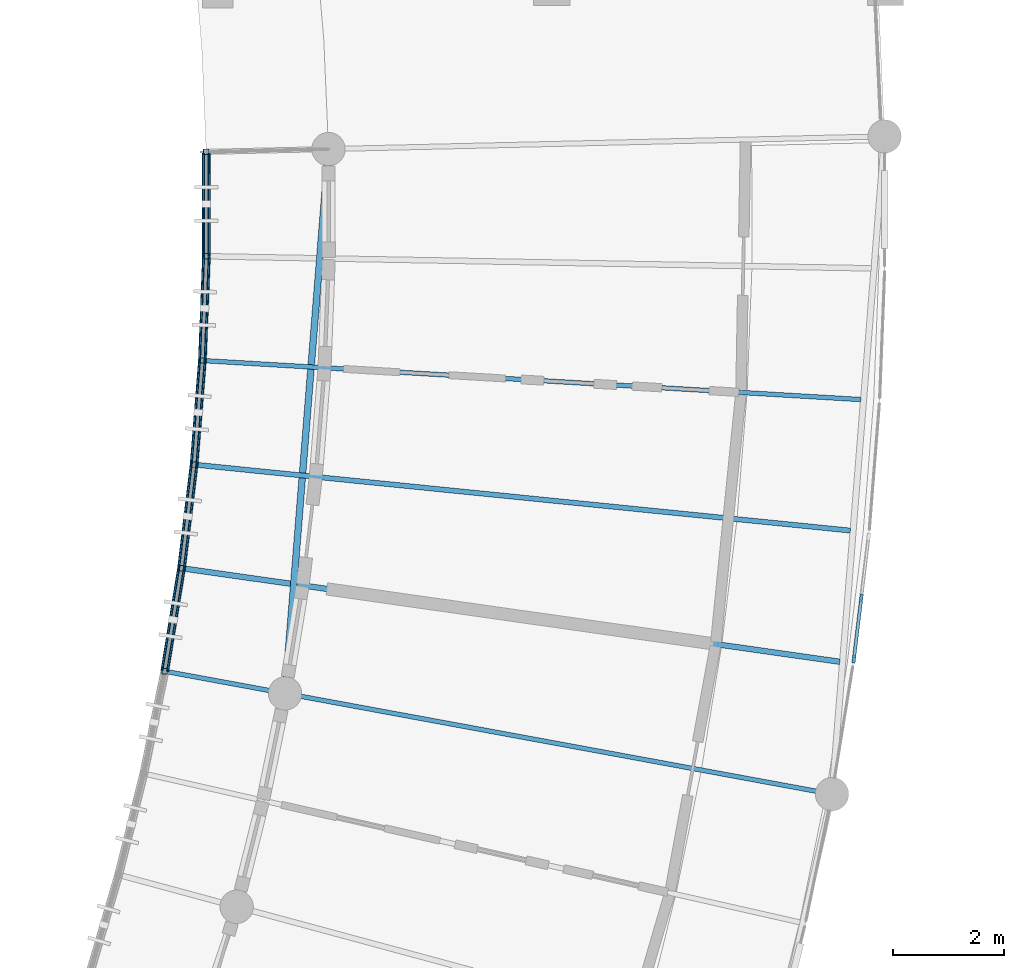
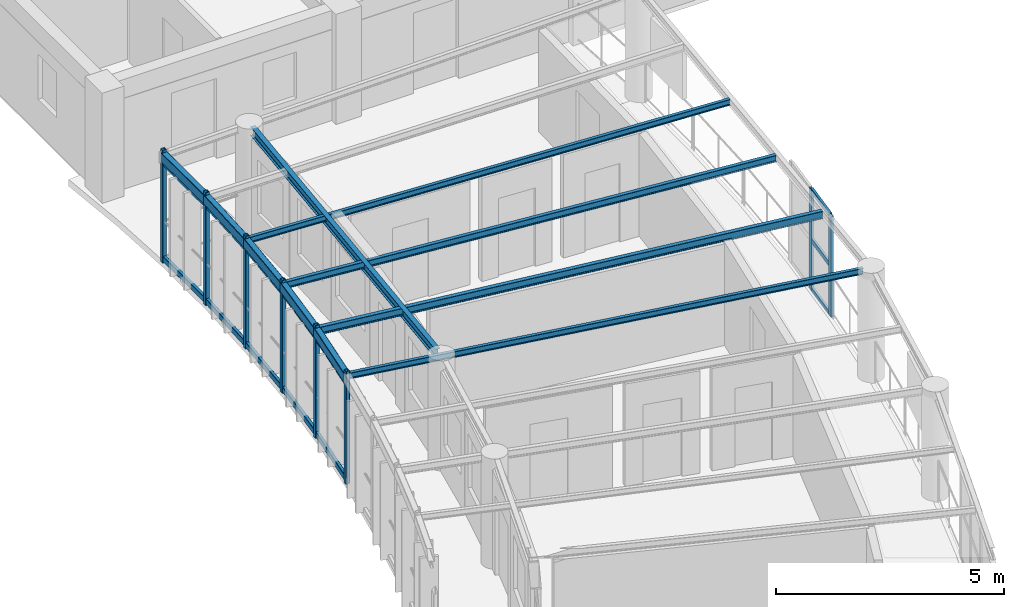
# One storey, part 23 of 100: 21 members, 10 beams, 1 element without a shape of its own.
"""IFC4 building model written with IfcOpenShell, lengths in metres."""

from ifc_helpers import new_model, si_unit, direction, frame, origin, origin_2d, place, context, subcontext, project, spatial, rectangle, hollow_rectangle, i_section, extrude, material, layer, layer_set, material_profile, profile_set, type_object, element, aggregate, save


model = new_model("IFC4")

# Units and contexts
model_context = context("Model", 3, precision=1e-05, world=origin(), true_north=direction((0.0, 1.0)))
body_context = subcontext(model_context, "Body", "Model", "MODEL_VIEW")
ifc_project = project(units=[si_unit("LENGTHUNIT", "METRE"), si_unit("AREAUNIT", "SQUARE_METRE"), si_unit("VOLUMEUNIT", "CUBIC_METRE"), si_unit("PLANEANGLEUNIT", "RADIAN"), si_unit("MASSUNIT", "GRAM", prefix="KILO"), si_unit("POWERUNIT", "WATT"), si_unit("THERMODYNAMICTEMPERATUREUNIT", "KELVIN")], contexts=[model_context])

# Site, building, storey
site_placement = place(None, origin())
site = spatial("IfcSite", under=ifc_project, at=site_placement, CompositionType="ELEMENT")
building_placement = place(site_placement, origin())
building = spatial("IfcBuilding", under=site, at=building_placement, Name="Ruvembo Vaulted Housing Court", CompositionType="ELEMENT")
storey_placement = place(building_placement, frame((0.0, 0.0, 14.10009765625)))
storey = spatial("IfcBuildingStorey", under=building, at=storey_placement, Name="L04", CompositionType="ELEMENT", Elevation=14.10009765625)

# Beams
ifc_material_1 = material(Name="Steel S355J2", Category="steel")
ifc_material_profile_1 = material_profile(ifc_material_1, i_section(OverallWidth=0.08203125, OverallDepth=0.159912109375, WebThickness=0.0048828125, FlangeThickness=0.00732421875, FilletRadius=0.009033203125, at=origin_2d()), Name="IPE 160")
ifc_profile_set_1 = profile_set([ifc_material_profile_1], Name="Steel S355J2")
beam_type_1 = type_object("IfcBeamType", Name="BM-ST-IPE160", PredefinedType="JOIST", material=ifc_profile_set_1)
beam_1_placement = place(storey_placement, frame((58.85400390625, 63.52978515625, 2.85986328125), z_axis=(-0.983463161272, 0.18110828369, 0.0), x_axis=(-0.18110828369, -0.983463161272, 0.0)))
element("IfcBeam", 1, at=beam_1_placement, inside=storey, type_object=beam_type_1, Name="Scoop SC1 L04 Radial Steel Joist 14", PredefinedType="JOIST", context=body_context, shape_type="SweptSolid", body=[
    extrude(i_section(OverallWidth=0.08203125, OverallDepth=0.159912109375, WebThickness=0.0048828125, FlangeThickness=0.00732421875, FilletRadius=0.009033203125, at=origin_2d()), origin(), (0.0, 0.0, 1.0), 12.050048828125),
])
beam_2_placement = place(storey_placement, frame((59.55712890625, 70.589111328125, 2.85986328125), z_axis=(-0.99824745237, 0.059177899908, 0.0), x_axis=(-0.059177899908, -0.99824745237, 0.0)))
element("IfcBeam", 2, at=beam_2_placement, inside=storey, type_object=beam_type_1, Name="Scoop SC1 L04 Radial Steel Joist 17", PredefinedType="JOIST", context=body_context, shape_type="SweptSolid", body=[
    extrude(i_section(OverallWidth=0.08203125, OverallDepth=0.159912109375, WebThickness=0.0048828125, FlangeThickness=0.00732421875, FilletRadius=0.009033203125, at=origin_2d()), origin(), (0.0, 0.0, 1.0), 11.89794921875),
])
ifc_material_profile_2 = material_profile(ifc_material_1, i_section(OverallWidth=0.091064453125, OverallDepth=0.179931640625, WebThickness=0.00537109375, FlangeThickness=0.008056640625, FilletRadius=0.009033203125, at=origin_2d()), Name="IPE 180")
ifc_profile_set_2 = profile_set([ifc_material_profile_2], Name="Steel S355J2")
beam_type_2 = type_object("IfcBeamType", Name="BM-ST-IPE180", PredefinedType="JOIST", material=ifc_profile_set_2)
beam_3_placement = place(storey_placement, frame((59.368896484375, 68.234130859375, 2.849853515625), z_axis=(-0.994986269959, 0.100011612287, 0.0), x_axis=(-0.100011612287, -0.994986269959, 0.0)))
element("IfcBeam", 3, at=beam_3_placement, inside=storey, type_object=beam_type_2, Name="Scoop SC1 L04 Radial Steel Joist 16", PredefinedType="JOIST", context=body_context, shape_type="SweptSolid", body=[
    extrude(i_section(OverallWidth=0.091064453125, OverallDepth=0.179931640625, WebThickness=0.00537109375, FlangeThickness=0.008056640625, FilletRadius=0.009033203125, at=origin_2d()), origin(), (0.0, 0.0, 1.0), 11.89794921875),
])
ifc_material_profile_3 = material_profile(ifc_material_1, i_section(OverallWidth=0.10009765625, OverallDepth=0.199951171875, WebThickness=0.005615234375, FlangeThickness=0.008544921875, FilletRadius=0.011962890625, at=origin_2d()), Name="IPE 200")
ifc_profile_set_3 = profile_set([ifc_material_profile_3], Name="Steel S355J2")
beam_type_3 = type_object("IfcBeamType", Name="BM-ST-IPE200", PredefinedType="BEAM", material=ifc_profile_set_3)
beam_4_placement = place(storey_placement, frame((59.180908203125, 65.875244140625, 2.83984375), z_axis=(-0.990057887054, 0.140660514296, 0.0), x_axis=(-0.140660514296, -0.990057887054, 0.0)))
element("IfcBeam", 4, at=beam_4_placement, inside=storey, type_object=beam_type_3, Name="Scoop SC1 L04 Radial Steel Joist 15", PredefinedType="BEAM", context=body_context, shape_type="SweptSolid", body=[
    extrude(i_section(OverallWidth=0.10009765625, OverallDepth=0.199951171875, WebThickness=0.005615234375, FlangeThickness=0.008544921875, FilletRadius=0.011962890625, at=origin_2d()), origin(), (0.0, 0.0, 1.0), 11.9951171875),
])
ifc_material_profile_4 = material_profile(ifc_material_1, i_section(OverallWidth=0.1201171875, OverallDepth=0.239990234375, WebThickness=0.006103515625, FlangeThickness=0.009765625, FilletRadius=0.014892578125, at=origin_2d()), Name="IPE 240")
ifc_profile_set_4 = profile_set([ifc_material_profile_4], Name="Steel S355J2")
beam_type_4 = type_object("IfcBeamType", Name="BM-ST-IPE240", PredefinedType="BEAM", material=ifc_profile_set_4)
beam_5_placement = place(storey_placement, frame((49.22119140625, 65.495849609375, 2.822021484375), z_axis=(0.079600245682, 0.996826866054, 0.0), x_axis=(-0.996826866054, 0.079600245682, 0.0)))
element("IfcBeam", 5, at=beam_5_placement, inside=storey, type_object=beam_type_4, Name="Scoop SC1 L04 Chord Girder F14", PredefinedType="BEAM", context=body_context, shape_type="SweptSolid", body=[
    extrude(i_section(OverallWidth=0.1201171875, OverallDepth=0.239990234375, WebThickness=0.006103515625, FlangeThickness=0.009765625, FilletRadius=0.014892578125, at=origin_2d()), origin(), (0.0, 0.0, 1.0), 9.4375),
])
ifc_material_profile_5 = material_profile(ifc_material_1, hollow_rectangle(XDim=0.14990234375, YDim=0.25, WallThickness=0.010009765625, InnerFilletRadius=0.010009765625, OuterFilletRadius=0.02001953125, at=origin_2d()), Name="RHS 250x150x10")
ifc_profile_set_5 = profile_set([ifc_material_profile_5], Name="Steel S355J2")
beam_type_5 = type_object("IfcBeamType", Name="BM-ST-RHS250", PredefinedType="SPANDREL", material=ifc_profile_set_5)
beam_6_placement = place(storey_placement, frame((47.04248046875, 65.704833984375, 2.81494140625), z_axis=(0.16093792822, 0.98696452989, 0.0), x_axis=(-0.98696452989, 0.16093792822, 0.0)))
element("IfcBeam", 6, at=beam_6_placement, inside=storey, type_object=beam_type_5, Name="Scoop SC1 L04 Balcony Edge Spandrel 14", PredefinedType="SPANDREL", context=body_context, shape_type="SweptSolid", body=[
    extrude(hollow_rectangle(XDim=0.14990234375, YDim=0.25, WallThickness=0.010009765625, InnerFilletRadius=0.010009765625, OuterFilletRadius=0.02001953125, at=origin_2d()), origin(), (0.0, 0.0, 1.0), 1.87646484375),
])
for number, where, z_axis, x_axis, name in (
    (7, (47.344482421875, 67.556884765625, 2.81494140625), (0.120335252624, 0.992733311104, 0.0), (-0.992733311104, 0.120335252624, 0.0), "Scoop SC1 L04 Balcony Edge Spandrel 15"),
    (8, (47.5703125, 69.419921875, 2.81494140625), (0.079610795565, 0.996826023552, 0.0), (-0.996826023552, 0.079610795565, 0.0), "Scoop SC1 L04 Balcony Edge Spandrel 16"),
    (9, (47.7197265625, 71.290771484375, 2.81494140625), (0.038767865725, 0.999248243725, 0.0), (-0.999248243725, 0.038767865725, 0.0), "Scoop SC1 L04 Balcony Edge Spandrel 17"),
):
    element("IfcBeam", number, at=place(storey_placement, frame(where, z_axis=z_axis, x_axis=x_axis)), inside=storey, type_object=beam_type_5, Name=name, PredefinedType="SPANDREL", context=body_context, shape_type="SweptSolid", body=[
        extrude(hollow_rectangle(XDim=0.14990234375, YDim=0.25, WallThickness=0.010009765625, InnerFilletRadius=0.010009765625, OuterFilletRadius=0.02001953125, at=origin_2d()), origin(), (0.0, 0.0, 1.0), 1.876708984375),
    ])
beam_7_placement = place(storey_placement, frame((47.79248046875, 73.166015625, 2.81494140625), z_axis=(-0.002341913952, 0.999997257716, 0.0), x_axis=(-0.999997257716, -0.002341913952, 0.0)))
element("IfcBeam", 10, at=beam_7_placement, inside=storey, type_object=beam_type_5, Name="Scoop SC1 L04 Balcony Edge Spandrel 18", PredefinedType="SPANDREL", context=body_context, shape_type="SweptSolid", body=[
    extrude(hollow_rectangle(XDim=0.14990234375, YDim=0.25, WallThickness=0.010009765625, InnerFilletRadius=0.010009765625, OuterFilletRadius=0.02001953125, at=origin_2d()), origin(), (0.0, 0.0, 1.0), 1.87646484375),
])

# Curtain wall, members
ifc_material_2 = material(Name="Anodised Aluminium and Solar-Control Glass", Category="aluminium")
ifc_layer = layer(ifc_material_2, 0.1201171875, Name="Anodised Aluminium and Solar-Control Glass")
ifc_layer_set = layer_set([ifc_layer], Name="Anodised Aluminium and Solar-Control Glass")
curtain_wall_type = type_object("IfcCurtainWallType", Name="CW-SCOOP-GAL", PredefinedType="NOTDEFINED", material=ifc_layer_set)
curtain_wall_placement = place(storey_placement, origin())
curtain_wall = element("IfcCurtainWall", 11, at=curtain_wall_placement, inside=storey, type_object=curtain_wall_type, Name="L04 Curtain Wall CW-L04-0024", PredefinedType="NOTDEFINED")
ifc_material_3 = material(Name="Anodised Aluminium 6063-T6", Category="aluminium")
ifc_material_profile_6 = material_profile(ifc_material_3, rectangle(XDim=0.06005859375, YDim=0.139892578125, at=origin_2d()), Name="ALU 60x140")
ifc_profile_set_6 = profile_set([ifc_material_profile_6], Name="Anodised Aluminium 6063-T6")
member_type_1 = type_object("IfcMemberType", Name="CW-MUL-60x140", PredefinedType="MULLION", material=ifc_profile_set_6)
member_1_placement = place(storey_placement, frame((59.432861328125, 65.920166015625, 0.0), z_axis=(0.0, 0.0, 1.0), x_axis=(-0.992725352187, 0.12040089337, 0.0)))
member_1 = element("IfcMember", 12, at=member_1_placement, type_object=member_type_1, Name="CW6 mullion 1", PredefinedType="MULLION", context=body_context, shape_type="SweptSolid", body=[
    extrude(rectangle(XDim=0.06005859375, YDim=0.139892578125, at=origin_2d()), origin(), (0.0, 0.0, 1.0), 2.697998046875),
])
member_2_placement = place(storey_placement, frame((59.566162109375, 67.0205078125, 0.0), z_axis=(0.0, 0.0, 1.0), x_axis=(-0.992725352187, 0.12040089337, 0.0)))
member_2 = element("IfcMember", 13, at=member_2_placement, type_object=member_type_1, Name="CW6 mullion 2", PredefinedType="MULLION", context=body_context, shape_type="SweptSolid", body=[
    extrude(rectangle(XDim=0.06005859375, YDim=0.139892578125, at=origin_2d()), origin(), (0.0, 0.0, 1.0), 2.697998046875),
])
ifc_material_profile_7 = material_profile(ifc_material_3, rectangle(XDim=0.06005859375, YDim=0.1201171875, at=origin_2d()), Name="ALU 60x120")
ifc_profile_set_7 = profile_set([ifc_material_profile_7], Name="Anodised Aluminium 6063-T6")
member_type_2 = type_object("IfcMemberType", Name="CW-TRANSOM-65x120", PredefinedType="USERDEFINED", material=ifc_profile_set_7)
member_3_placement = place(storey_placement, frame((59.4365234375, 65.949951171875, 0.02978515625), z_axis=(0.120393957765, 0.992726193335, 0.0), x_axis=(-0.992726193335, 0.120393957765, 0.0)))
member_3 = element("IfcMember", 14, at=member_3_placement, type_object=member_type_2, Name="CW6 transom 1.1", ObjectType="TRANSOM", PredefinedType="USERDEFINED", context=body_context, shape_type="SweptSolid", body=[
    extrude(rectangle(XDim=0.06005859375, YDim=0.1201171875, at=origin_2d()), origin(), (0.0, 0.0, 1.0), 1.04833984375),
])
member_4_placement = place(storey_placement, frame((59.4365234375, 65.949951171875, 1.348876953125), z_axis=(0.120393957765, 0.992726193335, 0.0), x_axis=(-0.992726193335, 0.120393957765, 0.0)))
member_4 = element("IfcMember", 15, at=member_4_placement, type_object=member_type_2, Name="CW6 transom 1.2", ObjectType="TRANSOM", PredefinedType="USERDEFINED", context=body_context, shape_type="SweptSolid", body=[
    extrude(rectangle(XDim=0.06005859375, YDim=0.1201171875, at=origin_2d()), origin(), (0.0, 0.0, 1.0), 1.04833984375),
])
member_5_placement = place(storey_placement, frame((59.4365234375, 65.949951171875, 2.66796875), z_axis=(0.120393957765, 0.992726193335, 0.0), x_axis=(-0.992726193335, 0.120393957765, 0.0)))
member_5 = element("IfcMember", 16, at=member_5_placement, type_object=member_type_2, Name="CW6 transom 1.3", ObjectType="TRANSOM", PredefinedType="USERDEFINED", context=body_context, shape_type="SweptSolid", body=[
    extrude(rectangle(XDim=0.06005859375, YDim=0.1201171875, at=origin_2d()), origin(), (0.0, 0.0, 1.0), 1.04833984375),
])
aggregate(curtain_wall, [member_1, member_2, member_3, member_4, member_5])

# Members
ifc_material_profile_8 = material_profile(ifc_material_1, hollow_rectangle(XDim=0.06005859375, YDim=0.1201171875, WallThickness=0.0048828125, InnerFilletRadius=0.0048828125, OuterFilletRadius=0.010009765625, at=origin_2d()), Name="RHS 120x60x5")
ifc_profile_set_8 = profile_set([ifc_material_profile_8], Name="Steel S355J2")
member_type_3 = type_object("IfcMemberType", Name="MEM-CAR-RHS120", PredefinedType="CHORD", material=ifc_profile_set_8)
member_6_placement = place(storey_placement, frame((47.04248046875, 65.704833984375, 2.6328125), z_axis=(0.16093792822, 0.98696452989, 0.0), x_axis=(-0.98696452989, 0.16093792822, 0.0)))
element("IfcMember", 17, at=member_6_placement, inside=storey, type_object=member_type_3, Name="Scoop SC1 L04 Upper Louvre Carrier Rail 14", PredefinedType="CHORD", context=body_context, shape_type="SweptSolid", body=[
    extrude(hollow_rectangle(XDim=0.06005859375, YDim=0.1201171875, WallThickness=0.0048828125, InnerFilletRadius=0.0048828125, OuterFilletRadius=0.010009765625, at=origin_2d()), origin(), (0.0, 0.0, 1.0), 1.87646484375),
])
for number, where, z_axis, x_axis, name in (
    (18, (47.344482421875, 67.556884765625, 2.6328125), (0.120335252624, 0.992733311104, 0.0), (-0.992733311104, 0.120335252624, 0.0), "Scoop SC1 L04 Upper Louvre Carrier Rail 15"),
    (19, (47.5703125, 69.419921875, 2.6328125), (0.079610795565, 0.996826023552, 0.0), (-0.996826023552, 0.079610795565, 0.0), "Scoop SC1 L04 Upper Louvre Carrier Rail 16"),
    (20, (47.7197265625, 71.290771484375, 2.6328125), (0.038767865725, 0.999248243725, 0.0), (-0.999248243725, 0.038767865725, 0.0), "Scoop SC1 L04 Upper Louvre Carrier Rail 17"),
):
    element("IfcMember", number, at=place(storey_placement, frame(where, z_axis=z_axis, x_axis=x_axis)), inside=storey, type_object=member_type_3, Name=name, PredefinedType="CHORD", context=body_context, shape_type="SweptSolid", body=[
        extrude(hollow_rectangle(XDim=0.06005859375, YDim=0.1201171875, WallThickness=0.0048828125, InnerFilletRadius=0.0048828125, OuterFilletRadius=0.010009765625, at=origin_2d()), origin(), (0.0, 0.0, 1.0), 1.876708984375),
    ])
member_7_placement = place(storey_placement, frame((47.79248046875, 73.166015625, 2.6328125), z_axis=(-0.002341913952, 0.999997257716, 0.0), x_axis=(-0.999997257716, -0.002341913952, 0.0)))
element("IfcMember", 21, at=member_7_placement, inside=storey, type_object=member_type_3, Name="Scoop SC1 L04 Upper Louvre Carrier Rail 18", PredefinedType="CHORD", context=body_context, shape_type="SweptSolid", body=[
    extrude(hollow_rectangle(XDim=0.06005859375, YDim=0.1201171875, WallThickness=0.0048828125, InnerFilletRadius=0.0048828125, OuterFilletRadius=0.010009765625, at=origin_2d()), origin(), (0.0, 0.0, 1.0), 1.87646484375),
])
ifc_material_profile_9 = material_profile(ifc_material_1, hollow_rectangle(XDim=0.080078125, YDim=0.14990234375, WallThickness=0.00634765625, InnerFilletRadius=0.00634765625, OuterFilletRadius=0.0126953125, at=origin_2d()), Name="RHS 150x80x6.3")
ifc_profile_set_9 = profile_set([ifc_material_profile_9], Name="Steel S355J2")
member_type_4 = type_object("IfcMemberType", Name="MEM-CAR-RHS150", PredefinedType="CHORD", material=ifc_profile_set_9)
member_8_placement = place(storey_placement, frame((47.04248046875, 65.704833984375, 0.094970703125), z_axis=(0.16093792822, 0.98696452989, 0.0), x_axis=(-0.98696452989, 0.16093792822, 0.0)))
element("IfcMember", 22, at=member_8_placement, inside=storey, type_object=member_type_4, Name="Scoop SC1 L04 Lower Louvre Carrier Rail 14", PredefinedType="CHORD", context=body_context, shape_type="SweptSolid", body=[
    extrude(hollow_rectangle(XDim=0.080078125, YDim=0.14990234375, WallThickness=0.00634765625, InnerFilletRadius=0.00634765625, OuterFilletRadius=0.0126953125, at=origin_2d()), origin(), (0.0, 0.0, 1.0), 1.87646484375),
])
for number, where, z_axis, x_axis, name in (
    (23, (47.344482421875, 67.556884765625, 0.094970703125), (0.120335252624, 0.992733311104, 0.0), (-0.992733311104, 0.120335252624, 0.0), "Scoop SC1 L04 Lower Louvre Carrier Rail 15"),
    (24, (47.5703125, 69.419921875, 0.094970703125), (0.079610795565, 0.996826023552, 0.0), (-0.996826023552, 0.079610795565, 0.0), "Scoop SC1 L04 Lower Louvre Carrier Rail 16"),
    (25, (47.7197265625, 71.290771484375, 0.094970703125), (0.038767865725, 0.999248243725, 0.0), (-0.999248243725, 0.038767865725, 0.0), "Scoop SC1 L04 Lower Louvre Carrier Rail 17"),
):
    element("IfcMember", number, at=place(storey_placement, frame(where, z_axis=z_axis, x_axis=x_axis)), inside=storey, type_object=member_type_4, Name=name, PredefinedType="CHORD", context=body_context, shape_type="SweptSolid", body=[
        extrude(hollow_rectangle(XDim=0.080078125, YDim=0.14990234375, WallThickness=0.00634765625, InnerFilletRadius=0.00634765625, OuterFilletRadius=0.0126953125, at=origin_2d()), origin(), (0.0, 0.0, 1.0), 1.876708984375),
    ])
member_9_placement = place(storey_placement, frame((47.79248046875, 73.166015625, 0.094970703125), z_axis=(-0.002341913952, 0.999997257716, 0.0), x_axis=(-0.999997257716, -0.002341913952, 0.0)))
element("IfcMember", 26, at=member_9_placement, inside=storey, type_object=member_type_4, Name="Scoop SC1 L04 Lower Louvre Carrier Rail 18", PredefinedType="CHORD", context=body_context, shape_type="SweptSolid", body=[
    extrude(hollow_rectangle(XDim=0.080078125, YDim=0.14990234375, WallThickness=0.00634765625, InnerFilletRadius=0.00634765625, OuterFilletRadius=0.0126953125, at=origin_2d()), origin(), (0.0, 0.0, 1.0), 1.87646484375),
])
ifc_material_profile_10 = material_profile(ifc_material_1, hollow_rectangle(XDim=0.10009765625, YDim=0.10009765625, WallThickness=0.00634765625, InnerFilletRadius=0.00634765625, OuterFilletRadius=0.0126953125, at=origin_2d()), Name="SHS 100x100x6.3")
ifc_profile_set_10 = profile_set([ifc_material_profile_10], Name="Steel S355J2")
member_type_5 = type_object("IfcMemberType", Name="MEM-FRM-SHS100", PredefinedType="STRUT", material=ifc_profile_set_10)
for number, where, z_axis, x_axis, name in (
    (27, (47.04248046875, 65.704833984375, -0.01513671875), (0.0, 0.0, 1.0), (1.0, 0.0, 0.0), "Scoop SC1 L04 Louvre Frame Post 14"),
    (28, (47.344482421875, 67.556884765625, -0.01513671875), (0.0, 0.0, 1.0), (1.0, 0.0, 0.0), "Scoop SC1 L04 Louvre Frame Post 15"),
    (29, (47.5703125, 69.419921875, -0.01513671875), (0.0, 0.0, 1.0), (1.0, 0.0, 0.0), "Scoop SC1 L04 Louvre Frame Post 16"),
    (30, (47.7197265625, 71.290771484375, -0.01513671875), (0.0, 0.0, 1.0), (1.0, 0.0, 0.0), "Scoop SC1 L04 Louvre Frame Post 17"),
    (31, (47.79248046875, 73.166015625, -0.01513671875), (0.0, 0.0, 1.0), (1.0, 0.0, 0.0), "Scoop SC1 L04 Louvre Frame Post 18"),
    (32, (47.7880859375, 75.04248046875, -0.01513671875), (0.0, 0.0, 1.0), (1.0, 0.0, 0.0), "Scoop SC1 L04 Louvre End Post"),
):
    element("IfcMember", number, at=place(storey_placement, frame(where, z_axis=z_axis, x_axis=x_axis)), inside=storey, type_object=member_type_5, Name=name, PredefinedType="STRUT", context=body_context, shape_type="SweptSolid", body=[
        extrude(hollow_rectangle(XDim=0.10009765625, YDim=0.10009765625, WallThickness=0.00634765625, InnerFilletRadius=0.00634765625, OuterFilletRadius=0.0126953125, at=origin_2d()), origin(), (0.0, 0.0, 1.0), 3.02294921875),
    ])

save(model, "model.ifc")
